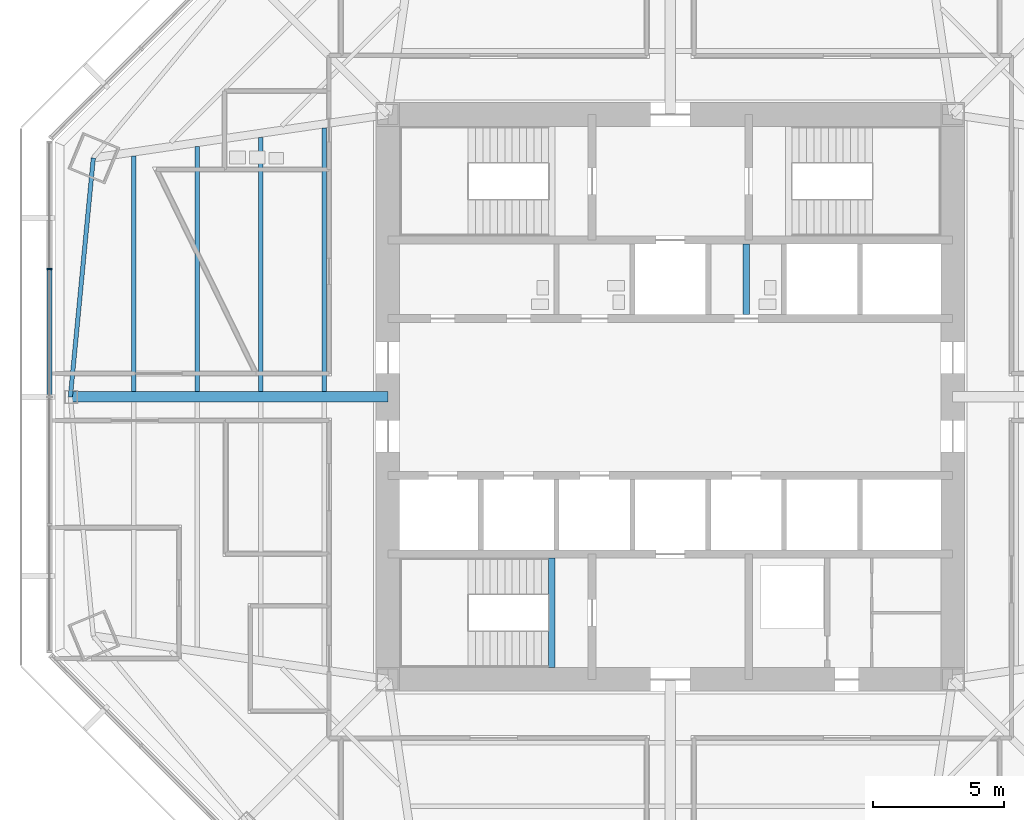
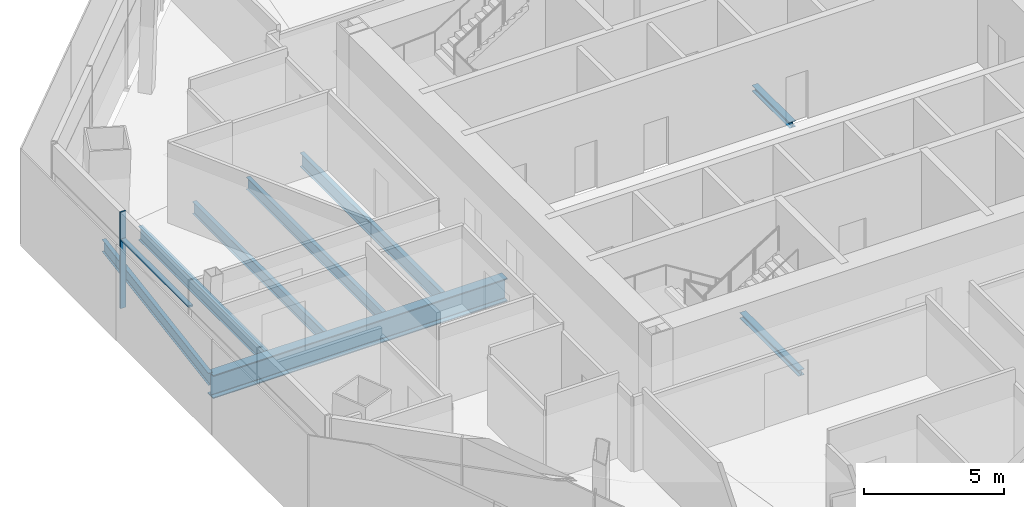
# One storey, part 3 of 15: 8 beams, 2 members, 1 element without a shape of its own.
"""IFC4 building model written with IfcOpenShell, lengths in metres."""

from ifc_helpers import new_model, si_unit, direction, frame, origin, origin_2d, place, context, subcontext, project, spatial, rectangle, i_section, extrude, source, transform, mapped, material, material_profile, profile_set, type_object, type_shapes, element, aggregate, save


model = new_model("IFC4")

# Units and contexts
model_context = context("Model", 3, precision=1e-05, world=origin(), true_north=direction((0.0, 1.0)))
body_context = subcontext(model_context, "Body", "Model", "MODEL_VIEW")
ifc_project = project(units=[si_unit("LENGTHUNIT", "METRE"), si_unit("AREAUNIT", "SQUARE_METRE"), si_unit("VOLUMEUNIT", "CUBIC_METRE"), si_unit("PLANEANGLEUNIT", "RADIAN"), si_unit("MASSUNIT", "GRAM", prefix="KILO")], contexts=[model_context])

# Site, building, storey
site_placement = place(None, origin())
site = spatial("IfcSite", under=ifc_project, at=site_placement, CompositionType="ELEMENT")
building_placement = place(site_placement, origin())
building = spatial("IfcBuilding", under=site, at=building_placement, Name="Mashrafa Tower", CompositionType="ELEMENT")
storey_placement = place(building_placement, frame((0.0, 0.0, 151.199951171875)))
storey = spatial("IfcBuildingStorey", under=building, at=storey_placement, Name="L34", CompositionType="ELEMENT", Elevation=151.199951171875)

# Beams
ifc_material_1 = material(Name="Steel ASTM A992", Category="steel")
ifc_material_profile_1 = material_profile(ifc_material_1, i_section(OverallWidth=0.1650390625, OverallDepth=0.52587890625, WebThickness=0.0087890625, FlangeThickness=0.011474609375, FilletRadius=0.0126953125, at=origin_2d()), Name="W21X44")
ifc_profile_set_1 = profile_set([ifc_material_profile_1], Name="Steel ASTM A992")
beam_type_1 = type_object("IfcBeamType", Name="Beam W21X44", PredefinedType="BEAM", material=ifc_profile_set_1)
beam_1_placement = place(storey_placement, frame((-18.085205078125, 0.20068359375, -0.427734375), z_axis=(0.0, 1.0, 0.0), x_axis=(-1.0, 0.0, 0.0)))
element("IfcBeam", 1, at=beam_1_placement, inside=storey, type_object=beam_type_1, Name="Floor beam L34 005", PredefinedType="BEAM", context=body_context, shape_type="SweptSolid", body=[
    extrude(i_section(OverallWidth=0.1650390625, OverallDepth=0.52587890625, WebThickness=0.0087890625, FlangeThickness=0.011474609375, FilletRadius=0.0126953125, at=origin_2d()), origin(), (0.0, 0.0, 1.0), 9.369873046875),
])
beam_2_placement = place(storey_placement, frame((-15.656982421875, 0.20068359375, -0.427734375), z_axis=(0.0, 1.0, 0.0), x_axis=(-1.0, 0.0, 0.0)))
element("IfcBeam", 2, at=beam_2_placement, inside=storey, type_object=beam_type_1, Name="Floor beam L34 007", PredefinedType="BEAM", context=body_context, shape_type="SweptSolid", body=[
    extrude(i_section(OverallWidth=0.1650390625, OverallDepth=0.52587890625, WebThickness=0.0087890625, FlangeThickness=0.011474609375, FilletRadius=0.0126953125, at=origin_2d()), origin(), (0.0, 0.0, 1.0), 9.72802734375),
])
beam_3_placement = place(storey_placement, frame((-22.06396484375, 9.13916015625, -0.427734375), z_axis=(-0.09564856417, -0.995415165733, 0.0), x_axis=(0.995415165733, -0.09564856417, 0.0)))
element("IfcBeam", 3, at=beam_3_placement, inside=storey, type_object=beam_type_1, Name="Spandrel beam L34 067", PredefinedType="BEAM", context=body_context, shape_type="SweptSolid", body=[
    extrude(i_section(OverallWidth=0.1650390625, OverallDepth=0.52587890625, WebThickness=0.0087890625, FlangeThickness=0.011474609375, FilletRadius=0.0126953125, at=origin_2d()), origin(), (0.0, 0.0, 1.0), 9.18115234375),
])
ifc_material_2 = material(Name="Steel ASTM A992", Category="steel")
ifc_material_profile_2 = material_profile(ifc_material_2, i_section(OverallWidth=0.177978515625, OverallDepth=0.599365234375, WebThickness=0.010009765625, FlangeThickness=0.012939453125, FilletRadius=0.012939453125, at=origin_2d()), Name="W24X55")
ifc_profile_set_2 = profile_set([ifc_material_profile_2], Name="Steel ASTM A992")
beam_type_2 = type_object("IfcBeamType", Name="Beam W24X55", PredefinedType="BEAM", material=ifc_profile_set_2)
beam_4_placement = place(storey_placement, frame((-20.513916015625, 0.20068359375, -0.464599609375), z_axis=(0.0, 1.0, 0.0), x_axis=(-1.0, 0.0, 0.0)))
element("IfcBeam", 4, at=beam_4_placement, inside=storey, type_object=beam_type_2, Name="Floor beam L34 002", PredefinedType="BEAM", context=body_context, shape_type="SweptSolid", body=[
    extrude(i_section(OverallWidth=0.177978515625, OverallDepth=0.599365234375, WebThickness=0.010009765625, FlangeThickness=0.012939453125, FilletRadius=0.012939453125, at=origin_2d()), origin(), (0.0, 0.0, 1.0), 9.01171875),
])
beam_5_placement = place(storey_placement, frame((-13.228515625, 0.20068359375, -0.464599609375), z_axis=(0.0, 1.0, 0.0), x_axis=(-1.0, 0.0, 0.0)))
element("IfcBeam", 5, at=beam_5_placement, inside=storey, type_object=beam_type_2, Name="Floor beam L34 012", PredefinedType="BEAM", context=body_context, shape_type="SweptSolid", body=[
    extrude(i_section(OverallWidth=0.177978515625, OverallDepth=0.599365234375, WebThickness=0.010009765625, FlangeThickness=0.012939453125, FilletRadius=0.012939453125, at=origin_2d()), origin(), (0.0, 0.0, 1.0), 10.0859375),
])
ifc_material_3 = material(Name="Steel ASTM A992", Category="steel")
ifc_material_profile_3 = material_profile(ifc_material_3, i_section(OverallWidth=0.4013671875, OverallDepth=1.010986328125, WebThickness=0.023681640625, FlangeThickness=0.0419921875, FilletRadius=0.02001953125, at=origin_2d()), Name="W40X297")
ifc_profile_set_3 = profile_set([ifc_material_profile_3], Name="Steel ASTM A992")
beam_type_3 = type_object("IfcBeamType", Name="Beam W40X297", PredefinedType="BEAM", material=ifc_profile_set_3)
beam_6_placement = place(storey_placement, frame((-10.800048828125, 0.0, -0.67041015625), z_axis=(-1.0, 0.0, 0.0), x_axis=(0.0, -1.0, 0.0)))
element("IfcBeam", 6, at=beam_6_placement, inside=storey, type_object=beam_type_3, Name="Radial girder L34 052", PredefinedType="BEAM", context=body_context, shape_type="SweptSolid", body=[
    extrude(i_section(OverallWidth=0.4013671875, OverallDepth=1.010986328125, WebThickness=0.023681640625, FlangeThickness=0.0419921875, FilletRadius=0.02001953125, at=origin_2d()), origin(), (0.0, 0.0, 1.0), 12.14208984375),
])
ifc_material_4 = material(Name="Steel ASTM A992", Category="steel")
ifc_material_profile_4 = material_profile(ifc_material_4, i_section(OverallWidth=0.25390625, OverallDepth=0.25390625, WebThickness=0.008544921875, FlangeThickness=0.01416015625, FilletRadius=0.010009765625, at=origin_2d()), Name="W10X49")
ifc_profile_set_4 = profile_set([ifc_material_profile_4], Name="Steel ASTM A992")
beam_type_4 = type_object("IfcBeamType", Name="Hoistway beam W10X49", PredefinedType="BEAM", material=ifc_profile_set_4)
beam_7_placement = place(storey_placement, frame((2.89990234375, 3.14990234375, -0.2919921875), z_axis=(0.0, 1.0, 0.0), x_axis=(-1.0, 0.0, 0.0)))
element("IfcBeam", 7, at=beam_7_placement, inside=storey, type_object=beam_type_4, Name="Hoistway beam L34 06", PredefinedType="BEAM", context=body_context, shape_type="SweptSolid", body=[
    extrude(i_section(OverallWidth=0.25390625, OverallDepth=0.25390625, WebThickness=0.008544921875, FlangeThickness=0.01416015625, FilletRadius=0.010009765625, at=origin_2d()), origin(), (0.0, 0.0, 1.0), 2.7001953125),
])
beam_8_placement = place(storey_placement, frame((-4.530029296875, -10.35009765625, -0.326904296875), z_axis=(0.0, 1.0, 0.0), x_axis=(-1.0, 0.0, 0.0)))
element("IfcBeam", 8, at=beam_8_placement, inside=storey, type_object=beam_type_4, Name="Stair S3 landing beam L34", PredefinedType="BEAM", context=body_context, shape_type="SweptSolid", body=[
    extrude(i_section(OverallWidth=0.25390625, OverallDepth=0.25390625, WebThickness=0.008544921875, FlangeThickness=0.01416015625, FilletRadius=0.010009765625, at=origin_2d()), origin(), (0.0, 0.0, 1.0), 4.2001953125),
])

# Curtain wall, members
ifc_material_5 = material(Name="Unitised aluminium curtain wall", Category="aluminium")
curtain_wall_type = type_object("IfcCurtainWallType", Name="Office curtain wall, zone 2 CW-B 225 deep", PredefinedType="NOTDEFINED", material=ifc_material_5)
curtain_wall_placement = place(storey_placement, origin())
curtain_wall = element("IfcCurtainWall", 9, at=curtain_wall_placement, inside=storey, type_object=curtain_wall_type, Name="Office curtain wall, zone 2 L34 west", PredefinedType="NOTDEFINED")
ifc_material_6 = material(Name="Extruded aluminium mullion", Category="aluminium")
ifc_material_profile_5 = material_profile(ifc_material_6, rectangle(XDim=0.22509765625, YDim=0.06494140625, at=origin_2d()), Name="Mullion 65x225")
ifc_profile_set_5 = profile_set([ifc_material_profile_5], Name="Extruded aluminium mullion")
member_type_1 = type_object("IfcMemberType", Name="Mullion CW-B 65 x 225", PredefinedType="MULLION", material=ifc_profile_set_5)
shared_shape_1 = source(origin(), body_context, "Body", "SweptSolid", [
    extrude(rectangle(XDim=0.22509765625, YDim=0.06494140625, at=origin_2d()), origin(), (0.0, 0.0, 1.0), 4.199951171875),
])
type_shapes(member_type_1, [shared_shape_1])
member_1_placement = place(storey_placement, frame((-23.737548828125, 4.887939453125, 0.0), z_axis=(0.0, 0.0, 1.0), x_axis=(1.0, 0.0, 0.0)))
member_1 = element("IfcMember", 10, at=member_1_placement, type_object=member_type_1, Name="CW-B mullion 2", PredefinedType="MULLION", context=body_context, shape_type="MappedRepresentation", body=[
    mapped(shared_shape_1, transform((0.0, 0.0, 0.0))),
])
ifc_material_7 = material(Name="Extruded aluminium transom", Category="aluminium")
ifc_material_profile_6 = material_profile(ifc_material_7, rectangle(XDim=0.179931640625, YDim=0.080078125, at=origin_2d()), Name="Transom 80x180")
ifc_profile_set_6 = profile_set([ifc_material_profile_6], Name="Extruded aluminium transom")
member_type_2 = type_object("IfcMemberType", Name="Transom CW-B 80 x 180", PredefinedType="MULLION", material=ifc_profile_set_6)
shared_shape_2 = source(origin(), body_context, "Body", "SweptSolid", [
    extrude(rectangle(XDim=0.179931640625, YDim=0.080078125, at=origin_2d()), origin(), (0.0, 0.0, 1.0), 4.822998046875),
])
type_shapes(member_type_2, [shared_shape_2])
member_2_placement = place(storey_placement, frame((-23.737548828125, 4.85546875, 3.0), z_axis=(0.0, -1.0, 0.0), x_axis=(1.0, 0.0, 0.0)))
member_2 = element("IfcMember", 11, at=member_2_placement, type_object=member_type_2, Name="CW-B transom 2", PredefinedType="MULLION", context=body_context, shape_type="MappedRepresentation", body=[
    mapped(shared_shape_2, transform((0.0, 0.0, 0.0))),
])
aggregate(curtain_wall, [member_1, member_2])

save(model, "model.ifc")
